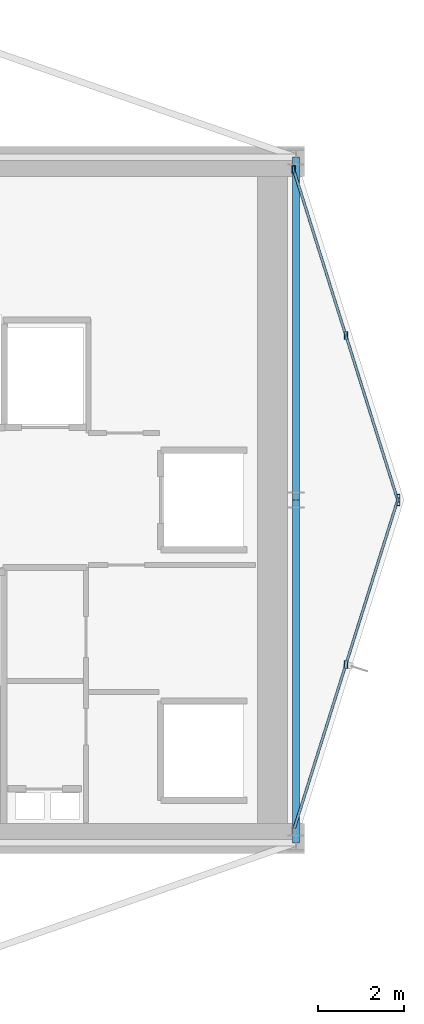
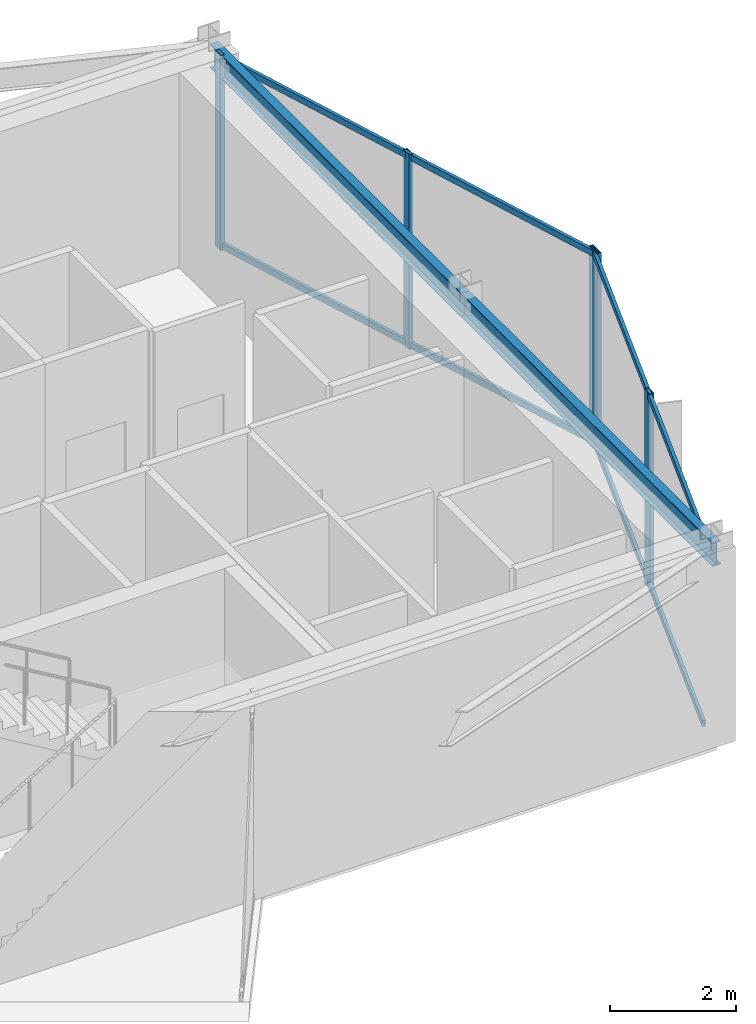
# One storey, part 15 of 22: 9 members, 2 beams, 2 elements without a shape of their own.
"""IFC4 building model written with IfcOpenShell, lengths in metres."""

from ifc_helpers import new_model, si_unit, direction, frame, origin, origin_2d, place, context, subcontext, project, spatial, hollow_rectangle, i_section, extrude, material, layer, layer_set, material_profile, profile_set, type_object, element, aggregate, save


model = new_model("IFC4")

# Units and contexts
model_context = context("Model", 3, precision=1e-05, world=origin(), true_north=direction((0.0, 1.0)))
body_context = subcontext(model_context, "Body", "Model", "MODEL_VIEW")
ifc_project = project(units=[si_unit("LENGTHUNIT", "METRE"), si_unit("AREAUNIT", "SQUARE_METRE"), si_unit("VOLUMEUNIT", "CUBIC_METRE"), si_unit("PLANEANGLEUNIT", "RADIAN"), si_unit("MASSUNIT", "GRAM", prefix="KILO")], contexts=[model_context])

# Site, building, storey
site_placement = place(None, origin())
site = spatial("IfcSite", under=ifc_project, at=site_placement, CompositionType="ELEMENT")
building_placement = place(site_placement, origin())
building = spatial("IfcBuilding", under=site, at=building_placement, Name="Veymaron Broadcast Tower", CompositionType="ELEMENT")
storey_placement = place(building_placement, frame((0.0, 0.0, 204.0)))
storey = spatial("IfcBuildingStorey", under=building, at=storey_placement, Name="L47", CompositionType="ELEMENT", Elevation=204.0)

# Beams
ifc_material_1 = material(Name="Structural steel ASTM A992 Gr 50", Category="steel")
ifc_material_profile_1 = material_profile(ifc_material_1, i_section(OverallWidth=0.154052734375, OverallDepth=0.458984375, WebThickness=0.009033203125, FlangeThickness=0.015380859375, at=origin_2d()), Name="W460X68")
ifc_profile_set_1 = profile_set([ifc_material_profile_1], Name="Structural steel ASTM A992 Gr 50")
beam_type = type_object("IfcBeamType", Name="BM-SP2", PredefinedType="SPANDREL", material=ifc_profile_set_1)
for number, where, z_axis, x_axis, name in (
    (1, (54.60009765625, 16.0, 3.560546875), (0.0, 1.0, 0.0), (-1.0, 0.0, 0.0), "L47 primary structural floor girder"),
    (2, (54.60009765625, 24.0, 3.560546875), (0.0, 1.0, 0.0), (-1.0, 0.0, 0.0), "L47 primary structural floor girder"),
):
    element("IfcBeam", number, at=place(storey_placement, frame(where, z_axis=z_axis, x_axis=x_axis)), inside=storey, type_object=beam_type, Name=name, PredefinedType="SPANDREL", context=body_context, shape_type="SweptSolid", body=[
        extrude(i_section(OverallWidth=0.154052734375, OverallDepth=0.458984375, WebThickness=0.009033203125, FlangeThickness=0.015380859375, at=origin_2d()), origin(), (0.0, 0.0, 1.0), 8.0),
    ])

# Curtain wall, members
ifc_material_2 = material(Name="Anodised aluminium AA 6063-T6 and laminated low-E dark glass", Category="aluminium")
ifc_layer = layer(ifc_material_2, 0.179931640625)
ifc_layer_set = layer_set([ifc_layer], Name="Anodised aluminium AA 6063-T6 and laminated low-E dark glass")
curtain_wall_type = type_object("IfcCurtainWallType", Name="CW-SYS-05", PredefinedType="NOTDEFINED", material=ifc_layer_set)
curtain_wall_1_placement = place(storey_placement, origin())
curtain_wall_1 = element("IfcCurtainWall", 3, at=curtain_wall_1_placement, inside=storey, type_object=curtain_wall_type, Name="L47 dark-glass curtain wall CW-L47-E2-1", PredefinedType="NOTDEFINED")
ifc_material_3 = material(Name="Anodised aluminium AA 6063-T6", Category="aluminium")
ifc_material_profile_2 = material_profile(ifc_material_3, hollow_rectangle(XDim=0.074951171875, YDim=0.179931640625, WallThickness=0.0048828125, at=origin_2d()), Name="AL180X75X5")
ifc_profile_set_2 = profile_set([ifc_material_profile_2], Name="Anodised aluminium AA 6063-T6")
member_type_1 = type_object("IfcMemberType", Name="CW-MUL-02", PredefinedType="MULLION", material=ifc_profile_set_2)
member_1_placement = place(storey_placement, frame((55.764892578125, 20.164306640625, 0.0), z_axis=(0.0, 0.0, 1.0), x_axis=(1.0, 0.0, 0.0)))
member_1 = element("IfcMember", 4, at=member_1_placement, type_object=member_type_1, Name="CW-L47-E2-1 mullion 1", PredefinedType="MULLION", context=body_context, shape_type="SweptSolid", body=[
    extrude(hollow_rectangle(XDim=0.074951171875, YDim=0.179931640625, WallThickness=0.0048828125, at=origin_2d()), origin(), (0.0, 0.0, 1.0), 3.7900390625),
])
member_2_placement = place(storey_placement, frame((56.986572265625, 24.0419921875, 0.0), z_axis=(0.0, 0.0, 1.0), x_axis=(1.0, 0.0, 0.0)))
member_2 = element("IfcMember", 5, at=member_2_placement, type_object=member_type_1, Name="CW-L47-E2-1 mullion 2", PredefinedType="MULLION", context=body_context, shape_type="SweptSolid", body=[
    extrude(hollow_rectangle(XDim=0.074951171875, YDim=0.179931640625, WallThickness=0.0048828125, at=origin_2d()), origin(), (0.0, 0.0, 1.0), 3.7900390625),
])

curtain_wall_2_placement = place(storey_placement, origin())
curtain_wall_2 = element("IfcCurtainWall", 6, at=curtain_wall_2_placement, inside=storey, type_object=curtain_wall_type, Name="L47 dark-glass curtain wall CW-L47-E3-1", PredefinedType="NOTDEFINED")
member_3_placement = place(storey_placement, frame((56.986572265625, 23.9580078125, 0.0), z_axis=(0.0, 0.0, 1.0), x_axis=(1.0, 0.0, 0.0)))
member_3 = element("IfcMember", 7, at=member_3_placement, type_object=member_type_1, Name="CW-L47-E3-1 mullion 0", PredefinedType="MULLION", context=body_context, shape_type="SweptSolid", body=[
    extrude(hollow_rectangle(XDim=0.074951171875, YDim=0.179931640625, WallThickness=0.0048828125, at=origin_2d()), origin(), (0.0, 0.0, 1.0), 3.7900390625),
])
member_4_placement = place(storey_placement, frame((55.764892578125, 27.835693359375, 0.0), z_axis=(0.0, 0.0, 1.0), x_axis=(1.0, 0.0, 0.0)))
member_4 = element("IfcMember", 8, at=member_4_placement, type_object=member_type_1, Name="CW-L47-E3-1 mullion 1", PredefinedType="MULLION", context=body_context, shape_type="SweptSolid", body=[
    extrude(hollow_rectangle(XDim=0.074951171875, YDim=0.179931640625, WallThickness=0.0048828125, at=origin_2d()), origin(), (0.0, 0.0, 1.0), 3.7900390625),
])
member_5_placement = place(storey_placement, frame((54.54345703125, 31.713623046875, 0.0), z_axis=(0.0, 0.0, 1.0), x_axis=(1.0, 0.0, 0.0)))
member_5 = element("IfcMember", 9, at=member_5_placement, type_object=member_type_1, Name="CW-L47-E3-1 mullion 2", PredefinedType="MULLION", context=body_context, shape_type="SweptSolid", body=[
    extrude(hollow_rectangle(XDim=0.074951171875, YDim=0.179931640625, WallThickness=0.0048828125, at=origin_2d()), origin(), (0.0, 0.0, 1.0), 3.7900390625),
])

# Member
ifc_material_profile_3 = material_profile(ifc_material_3, hollow_rectangle(XDim=0.06005859375, YDim=0.1201171875, WallThickness=0.00390625, at=origin_2d()), Name="AL120X60X4")
ifc_profile_set_3 = profile_set([ifc_material_profile_3], Name="Anodised aluminium AA 6063-T6")
member_type_2 = type_object("IfcMemberType", Name="CW-TRN-02", PredefinedType="USERDEFINED", material=ifc_profile_set_3)
member_6_placement = place(storey_placement, frame((54.558349609375, 16.333984375, 0.070068359375), z_axis=(0.300453348613, 0.953796511478, 0.0), x_axis=(-0.953796511478, 0.300453348613, 0.0)))
member_6 = element("IfcMember", 10, at=member_6_placement, type_object=member_type_2, Name="CW-L47-E2-1 transom B", ObjectType="TRANSOM", PredefinedType="USERDEFINED", context=body_context, shape_type="SweptSolid", body=[
    extrude(hollow_rectangle(XDim=0.06005859375, YDim=0.1201171875, WallThickness=0.00390625, at=origin_2d()), origin(), (0.0, 0.0, 1.0), 8.031494140625),
])

member_7_placement = place(storey_placement, frame((54.558349609375, 16.333984375, 3.719970703125), z_axis=(0.300453348613, 0.953796511478, 0.0), x_axis=(-0.953796511478, 0.300453348613, 0.0)))
member_7 = element("IfcMember", 11, at=member_7_placement, type_object=member_type_2, Name="CW-L47-E2-1 transom T", ObjectType="TRANSOM", PredefinedType="USERDEFINED", context=body_context, shape_type="SweptSolid", body=[
    extrude(hollow_rectangle(XDim=0.06005859375, YDim=0.1201171875, WallThickness=0.00390625, at=origin_2d()), origin(), (0.0, 0.0, 1.0), 8.031494140625),
])

aggregate(curtain_wall_1, [member_1, member_2, member_6, member_7])

member_8_placement = place(storey_placement, frame((56.971435546875, 24.005615234375, 0.070068359375), z_axis=(-0.300453348613, 0.953796511478, 0.0), x_axis=(-0.953796511478, -0.300453348613, 0.0)))
member_8 = element("IfcMember", 12, at=member_8_placement, type_object=member_type_2, Name="CW-L47-E3-1 transom B", ObjectType="TRANSOM", PredefinedType="USERDEFINED", context=body_context, shape_type="SweptSolid", body=[
    extrude(hollow_rectangle(XDim=0.06005859375, YDim=0.1201171875, WallThickness=0.00390625, at=origin_2d()), origin(), (0.0, 0.0, 1.0), 8.031494140625),
])

member_9_placement = place(storey_placement, frame((56.971435546875, 24.005615234375, 3.719970703125), z_axis=(-0.300453348613, 0.953796511478, 0.0), x_axis=(-0.953796511478, -0.300453348613, 0.0)))
member_9 = element("IfcMember", 13, at=member_9_placement, type_object=member_type_2, Name="CW-L47-E3-1 transom T", ObjectType="TRANSOM", PredefinedType="USERDEFINED", context=body_context, shape_type="SweptSolid", body=[
    extrude(hollow_rectangle(XDim=0.06005859375, YDim=0.1201171875, WallThickness=0.00390625, at=origin_2d()), origin(), (0.0, 0.0, 1.0), 8.031494140625),
])

aggregate(curtain_wall_2, [member_3, member_4, member_5, member_8, member_9])

save(model, "model.ifc")
